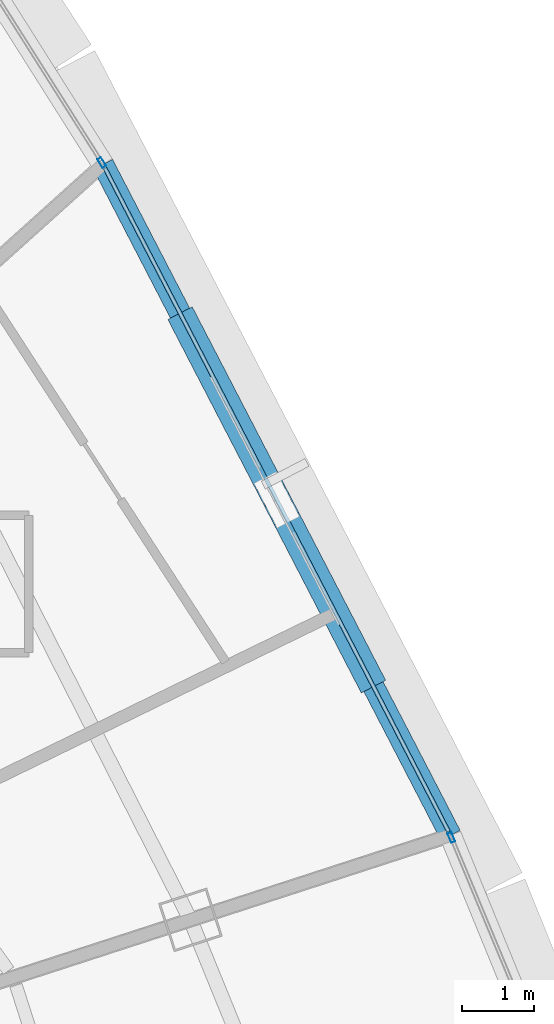
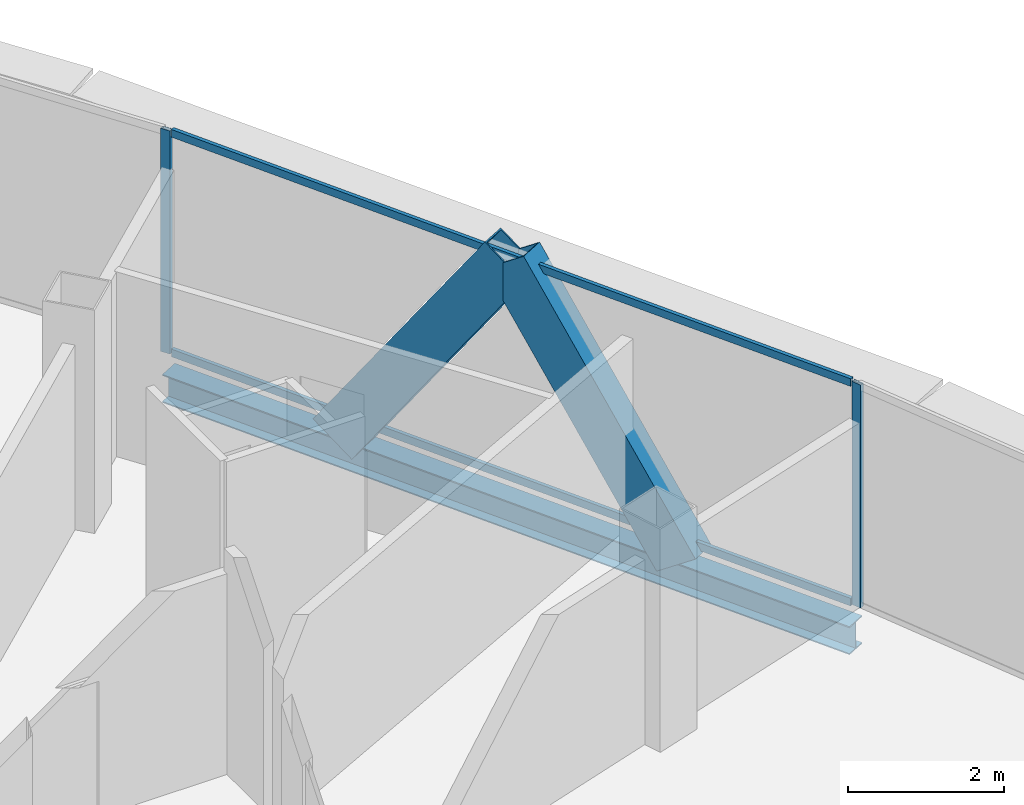
# One storey, part 18 of 33: 6 members, 1 beam, 3 elements without a shape of their own.
"""IFC4 building model written with IfcOpenShell, lengths in metres."""

from ifc_helpers import new_model, si_unit, direction, frame, origin, origin_2d, place, context, subcontext, project, spatial, hollow_rectangle, i_section, extrude, source, transform, mapped, material, layer, layer_set, material_profile, profile_set, type_object, element, aggregate, save


model = new_model("IFC4")

# Units and contexts
model_context = context("Model", 3, precision=1e-05, world=origin(), true_north=direction((0.0, 1.0)))
body_context = subcontext(model_context, "Body", "Model", "MODEL_VIEW")
ifc_project = project(units=[si_unit("LENGTHUNIT", "METRE"), si_unit("AREAUNIT", "SQUARE_METRE"), si_unit("VOLUMEUNIT", "CUBIC_METRE"), si_unit("PLANEANGLEUNIT", "RADIAN"), si_unit("MASSUNIT", "GRAM", prefix="KILO"), si_unit("THERMODYNAMICTEMPERATUREUNIT", "KELVIN"), si_unit("POWERUNIT", "WATT")], contexts=[model_context])

# Site, building, storey
site_placement = place(None, origin())
site = spatial("IfcSite", under=ifc_project, at=site_placement, CompositionType="ELEMENT")
building_placement = place(site_placement, origin())
building = spatial("IfcBuilding", under=site, at=building_placement, Name="Yunzhuo Pagoda Commons", CompositionType="ELEMENT")
storey_placement = place(building_placement, frame((0.0, 0.0, 325.510009765625)))
storey = spatial("IfcBuildingStorey", under=building, at=storey_placement, Name="L81", CompositionType="ELEMENT", Elevation=325.510009765625)

# Beam
ifc_material_1 = material(Name="Structural steel Q355B", Category="steel")
ifc_material_profile_1 = material_profile(ifc_material_1, i_section(OverallWidth=0.300048828125, OverallDepth=0.43994140625, WebThickness=0.010986328125, FlangeThickness=0.01806640625, at=origin_2d()), Name="Structural steel Q355B")
ifc_profile_set_1 = profile_set([ifc_material_profile_1], Name="Structural steel Q355B")
beam_type = type_object("IfcBeamType", Name="B-SP2 Beam HM 440x300x11x18", PredefinedType="BEAM", material=ifc_profile_set_1)
shared_shape_1 = source(origin(), body_context, "Body", "SweptSolid", [
    extrude(i_section(OverallWidth=0.300048828125, OverallDepth=0.43994140625, WebThickness=0.010986328125, FlangeThickness=0.01806640625, at=origin_2d()), origin(), (0.0, 0.0, 1.0), 10.453369140625),
])
beam_placement = place(storey_placement, frame((71.651611328125, 41.385009765625, -0.47998046875), z_axis=(-0.459938764451, 0.887950636553, 0.0), x_axis=(-0.887950636553, -0.459938764451, 0.0)))
element("IfcBeam", 1, at=beam_placement, inside=storey, type_object=beam_type, Name="L81 facade edge spandrel beam F2.2", PredefinedType="BEAM", context=body_context, shape_type="MappedRepresentation", body=[
    mapped(shared_shape_1, transform((0.0, 0.0, 0.0), scale=1.0)),
])

# Members
ifc_material_profile_2 = material_profile(ifc_material_1, hollow_rectangle(XDim=0.3798828125, YDim=0.719970703125, WallThickness=0.02001953125, at=origin_2d()), Name="Structural steel Q355B")
ifc_profile_set_2 = profile_set([ifc_material_profile_2], Name="Structural steel Q355B")
member_type_1 = type_object("IfcMemberType", Name="M-DL3 Brace BOX 720x380x20", PredefinedType="BRACE", material=ifc_profile_set_2)
shared_shape_2 = source(origin(), body_context, "Body", "SweptSolid", [
    extrude(hollow_rectangle(XDim=0.3798828125, YDim=0.719970703125, WallThickness=0.02001953125, at=origin_2d()), origin(), (0.0, 0.0, 1.0), 4.57080078125),
])
member_1_placement = place(storey_placement, frame((70.44970703125, 43.705322265625, -0.260009765625), z_axis=(-0.262953700016, 0.507693463061, 0.820428363243), x_axis=(-0.887965115097, -0.459910811323, 0.0)))
element("IfcMember", 2, at=member_1_placement, inside=storey, type_object=member_type_1, Name="L81 facade diamond brace F2.2L", PredefinedType="BRACE", context=body_context, shape_type="MappedRepresentation", body=[
    mapped(shared_shape_2, transform((0.0, 0.0, 0.0), scale=1.0)),
])
shared_shape_3 = source(origin(), body_context, "Body", "SweptSolid", [
    extrude(hollow_rectangle(XDim=0.3798828125, YDim=0.719970703125, WallThickness=0.02001953125, at=origin_2d()), origin(), (0.0, 0.0, 1.0), 4.571044921875),
])
member_2_placement = place(storey_placement, frame((68.045654296875, 48.3466796875, -0.260009765625), z_axis=(0.262996287127, -0.507725975919, 0.820394591849), x_axis=(0.88794672524, 0.459946315493, 0.0)))
element("IfcMember", 3, at=member_2_placement, inside=storey, type_object=member_type_1, Name="L81 facade diamond brace F2.2R", PredefinedType="BRACE", context=body_context, shape_type="MappedRepresentation", body=[
    mapped(shared_shape_3, transform((0.0, 0.0, 0.0), scale=1.0)),
])

# Curtain wall, member
ifc_material_2 = material(Name="Anodized aluminium 6063-T6", Category="aluminium")
ifc_layer = layer(ifc_material_2, 0.139892578125)
ifc_layer_set = layer_set([ifc_layer], Name="Anodized aluminium 6063-T6")
curtain_wall_type = type_object("IfcCurtainWallType", Name="CW-HI High-Zone Ribbon Curtain Wall", PredefinedType="NOTDEFINED", material=ifc_layer_set)
curtain_wall_1_placement = place(storey_placement, origin())
curtain_wall_1 = element("IfcCurtainWall", 4, at=curtain_wall_1_placement, inside=storey, type_object=curtain_wall_type, Name="L81 curtain wall CW-L81-F2B2", PredefinedType="NOTDEFINED")
ifc_material_profile_3 = material_profile(ifc_material_2, hollow_rectangle(XDim=0.06005859375, YDim=0.139892578125, WallThickness=0.00341796875, at=origin_2d()), Name="Anodized aluminium 6063-T6")
ifc_profile_set_3 = profile_set([ifc_material_profile_3], Name="Anodized aluminium 6063-T6")
member_type_2 = type_object("IfcMemberType", Name="CW-HI-M Mullion RHS 140x60x3.5", PredefinedType="MULLION", material=ifc_profile_set_3)
shared_shape_4 = source(origin(), body_context, "Body", "SweptSolid", [
    extrude(hollow_rectangle(XDim=0.06005859375, YDim=0.139892578125, WallThickness=0.00341796875, at=origin_2d()), origin(), (0.0, 0.0, 1.0), 3.489990234375),
])
member_3_placement = place(storey_placement, frame((71.663330078125, 41.357177734375, 0.0), z_axis=(0.0, 0.0, 1.0), x_axis=(-0.923407166951, -0.383821838909, 0.0)))
member_3 = element("IfcMember", 5, at=member_3_placement, type_object=member_type_2, Name="CW mullion 2", PredefinedType="MULLION", context=body_context, shape_type="MappedRepresentation", body=[
    mapped(shared_shape_4, transform((0.0, 0.0, 0.0), scale=1.0)),
])
aggregate(curtain_wall_1, [member_3])

curtain_wall_2_placement = place(storey_placement, origin())
curtain_wall_2 = element("IfcCurtainWall", 6, at=curtain_wall_2_placement, inside=storey, type_object=curtain_wall_type, Name="L81 curtain wall CW-L81-F2B4", PredefinedType="NOTDEFINED")
member_4_placement = place(storey_placement, frame((66.82763671875, 50.6923828125, 0.0), z_axis=(0.0, 0.0, 1.0), x_axis=(-0.845148830397, -0.534531060349, 0.0)))
member_4 = element("IfcMember", 7, at=member_4_placement, type_object=member_type_2, Name="CW mullion 1", PredefinedType="MULLION", context=body_context, shape_type="MappedRepresentation", body=[
    mapped(shared_shape_4, transform((0.0, 0.0, 0.0), scale=1.0)),
])
aggregate(curtain_wall_2, [member_4])

# Curtain wall, members
curtain_wall_3_placement = place(storey_placement, origin())
curtain_wall_3 = element("IfcCurtainWall", 8, at=curtain_wall_3_placement, inside=storey, type_object=curtain_wall_type, Name="L81 curtain wall CW-L81-F2B3", PredefinedType="NOTDEFINED")
ifc_material_profile_4 = material_profile(ifc_material_2, hollow_rectangle(XDim=0.054931640625, YDim=0.1201171875, WallThickness=0.00341796875, at=origin_2d()), Name="Anodized aluminium 6063-T6")
ifc_profile_set_4 = profile_set([ifc_material_profile_4], Name="Anodized aluminium 6063-T6")
member_type_3 = type_object("IfcMemberType", Name="CW-HI-T Transom RHS 120x55x3.5", PredefinedType="USERDEFINED", material=ifc_profile_set_4)
shared_shape_5 = source(origin(), body_context, "Body", "SweptSolid", [
    extrude(hollow_rectangle(XDim=0.054931640625, YDim=0.1201171875, WallThickness=0.00341796875, at=origin_2d()), origin(), (0.0, 0.0, 1.0), 10.33349609375),
])
member_5_placement = place(storey_placement, frame((71.6240234375, 41.438232421875, 0.027587890625), z_axis=(-0.459926104171, 0.887957194183, 0.0), x_axis=(-0.887957194183, -0.459926104171, 0.0)))
member_5 = element("IfcMember", 9, at=member_5_placement, type_object=member_type_3, Name="CW transom 1.1", ObjectType="TRANSOM", PredefinedType="USERDEFINED", context=body_context, shape_type="MappedRepresentation", body=[
    mapped(shared_shape_5, transform((0.0, 0.0, 0.0), scale=1.0)),
])
member_6_placement = place(storey_placement, frame((71.6240234375, 41.438232421875, 3.46240234375), z_axis=(-0.459926104171, 0.887957194183, 0.0), x_axis=(-0.887957194183, -0.459926104171, 0.0)))
member_6 = element("IfcMember", 10, at=member_6_placement, type_object=member_type_3, Name="CW transom 1.2", ObjectType="TRANSOM", PredefinedType="USERDEFINED", context=body_context, shape_type="MappedRepresentation", body=[
    mapped(shared_shape_5, transform((0.0, 0.0, 0.0), scale=1.0)),
])
aggregate(curtain_wall_3, [member_5, member_6])

save(model, "model.ifc")
